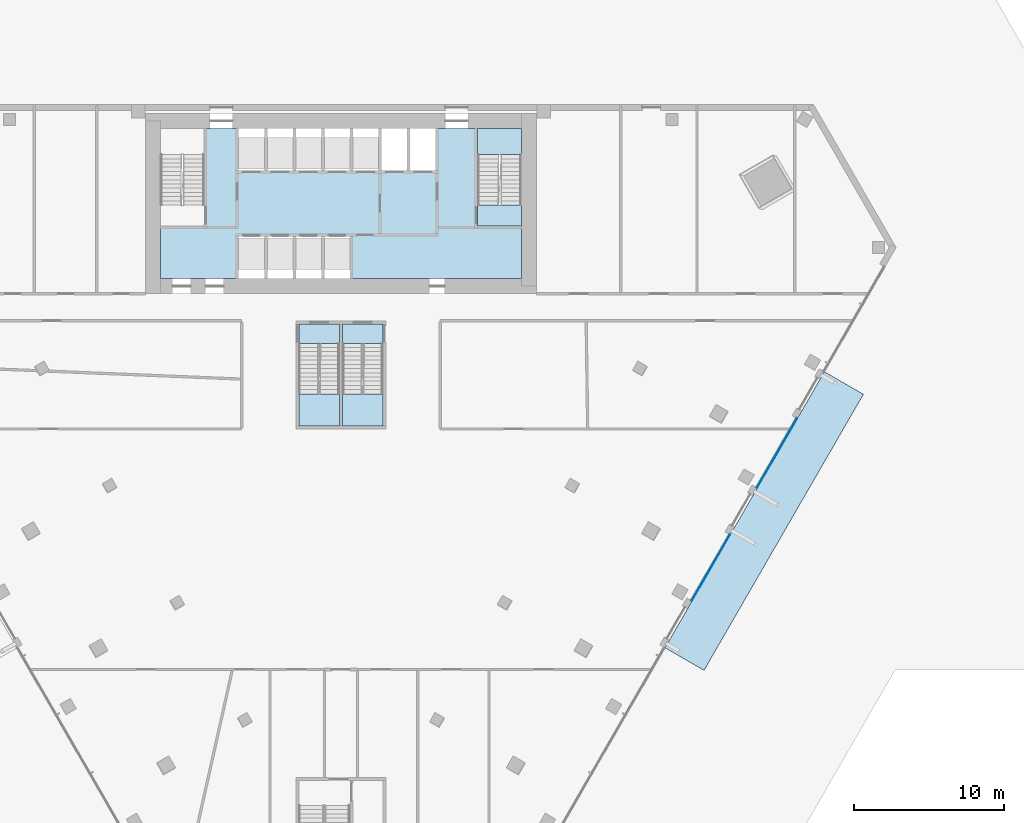
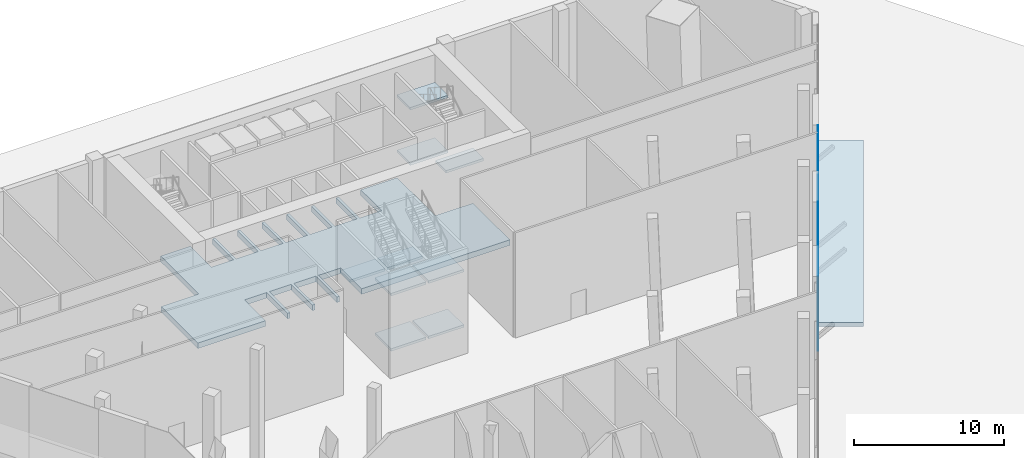
# One storey, part 10 of 21: 11 slabs, 4 plates, 5 elements without a shape of their own.
"""IFC4 building model written with IfcOpenShell, lengths in metres."""

from ifc_helpers import new_model, si_unit, direction, frame, origin, origin_2d, place, context, subcontext, project, spatial, polyline, rectangle, outline, extrude, material, layer, layer_set, type_object, element, aggregate, save


model = new_model("IFC4")

# Units and contexts
model_context = context("Model", 3, precision=1e-05, world=origin(), true_north=direction((0.0, 1.0)))
body_context = subcontext(model_context, "Body", "Model", "MODEL_VIEW")
ifc_project = project(units=[si_unit("LENGTHUNIT", "METRE"), si_unit("AREAUNIT", "SQUARE_METRE"), si_unit("VOLUMEUNIT", "CUBIC_METRE"), si_unit("PLANEANGLEUNIT", "RADIAN"), si_unit("MASSUNIT", "GRAM", prefix="KILO")], contexts=[model_context])

# Site, building, storey
site_placement = place(None, origin())
site = spatial("IfcSite", under=ifc_project, at=site_placement, CompositionType="ELEMENT")
building_placement = place(site_placement, origin())
building = spatial("IfcBuilding", under=site, at=building_placement, Name="Altiplano Prism Tower", CompositionType="ELEMENT")
storey_placement = place(building_placement, origin())
storey = spatial("IfcBuildingStorey", under=building, at=storey_placement, Name="L00", CompositionType="ELEMENT", Elevation=0.0)

# Curtain wall, plates
ifc_material_1 = material(Name="Aluminium and glass", Category="aluminium")
ifc_layer_1 = layer(ifc_material_1, 0.261962890625)
ifc_layer_set_1 = layer_set([ifc_layer_1], Name="Aluminium and glass")
curtain_wall_type = type_object("IfcCurtainWallType", Name="CW4 concourse and street shopfront", PredefinedType="NOTDEFINED", material=ifc_layer_set_1)
curtain_wall_1_placement = place(storey_placement, origin())
curtain_wall_1 = element("IfcCurtainWall", 1, at=curtain_wall_1_placement, inside=storey, type_object=curtain_wall_type, Name="CW4 shopfront south-east face L00", PredefinedType="NOTDEFINED")
ifc_material_2 = material(Name="Clear glass", Category="glass")
ifc_layer_2 = layer(ifc_material_2, 0.031982421875)
ifc_layer_set_2 = layer_set([ifc_layer_2], Name="Clear glass")
plate_type = type_object("IfcPlateType", Name="CW4 laminated glass panel 32", PredefinedType="CURTAIN_PANEL", material=ifc_layer_set_2)
plate_1_placement = place(storey_placement, frame((109.615478515625, 74.1669921875, 0.0), z_axis=(0.0, 0.0, 1.0), x_axis=(0.499999996478, 0.866025405818, 0.0)))
plate_1 = element("IfcPlate", 2, at=plate_1_placement, type_object=plate_type, Name="CW4 panel", PredefinedType="CURTAIN_PANEL", context=body_context, shape_type="SweptSolid", body=[
    extrude(rectangle(XDim=5.069580078125, YDim=0.031982421875, at=origin_2d()), origin(), (0.0, 0.0, 1.0), 4.5),
])
plate_2_placement = place(storey_placement, frame((109.615478515625, 74.1669921875, 4.5), z_axis=(0.0, 0.0, 1.0), x_axis=(0.499999996478, 0.866025405818, 0.0)))
plate_2 = element("IfcPlate", 3, at=plate_2_placement, type_object=plate_type, Name="CW4 panel", PredefinedType="CURTAIN_PANEL", context=body_context, shape_type="SweptSolid", body=[
    extrude(rectangle(XDim=5.069580078125, YDim=0.031982421875, at=origin_2d()), origin(), (0.0, 0.0, 1.0), 4.050048828125),
])
aggregate(curtain_wall_1, [plate_1, plate_2])

curtain_wall_2_placement = place(storey_placement, origin())
curtain_wall_2 = element("IfcCurtainWall", 4, at=curtain_wall_2_placement, inside=storey, type_object=curtain_wall_type, Name="CW4 shopfront south-east face L00", PredefinedType="NOTDEFINED")
plate_3_placement = place(storey_placement, frame((114.017822265625, 81.792236328125, 0.0), z_axis=(0.0, 0.0, 1.0), x_axis=(0.499999996478, 0.866025405818, 0.0)))
plate_3 = element("IfcPlate", 5, at=plate_3_placement, type_object=plate_type, Name="CW4 panel", PredefinedType="CURTAIN_PANEL", context=body_context, shape_type="SweptSolid", body=[
    extrude(rectangle(XDim=5.319580078125, YDim=0.031982421875, at=origin_2d()), origin(), (0.0, 0.0, 1.0), 4.5),
])
plate_4_placement = place(storey_placement, frame((114.017822265625, 81.792236328125, 4.5), z_axis=(0.0, 0.0, 1.0), x_axis=(0.499999996478, 0.866025405818, 0.0)))
plate_4 = element("IfcPlate", 6, at=plate_4_placement, type_object=plate_type, Name="CW4 panel", PredefinedType="CURTAIN_PANEL", context=body_context, shape_type="SweptSolid", body=[
    extrude(rectangle(XDim=5.319580078125, YDim=0.031982421875, at=origin_2d()), origin(), (0.0, 0.0, 1.0), 4.050048828125),
])
aggregate(curtain_wall_2, [plate_3, plate_4])

# Slabs
ifc_material_3 = material(Name="Concrete C40/50", Category="concrete")
ifc_layer_3 = layer(ifc_material_3, 0.449951171875)
ifc_layer_set_3 = layer_set([ifc_layer_3], Name="Concrete C40/50")
slab_type_1 = type_object("IfcSlabType", Name="Core floor slab 450", PredefinedType="FLOOR", material=ifc_layer_set_3)
slab_1_placement = place(storey_placement, frame((0.0, 0.0, -0.449951171875)))
element("IfcSlab", 7, at=slab_1_placement, inside=storey, type_object=slab_type_1, Name="Core floor slab L00", PredefinedType="FLOOR", context=body_context, shape_type="SweptSolid", body=[
    extrude(outline(polyline([(97.0, 98.31005859375), (94.10009765625, 98.31005859375), (94.10009765625, 103.39990234375), (91.300048828125, 103.39990234375), (91.300048828125, 100.60009765625), (89.60009765625, 100.60009765625), (89.60009765625, 103.39990234375), (89.39990234375, 103.39990234375), (89.39990234375, 100.60009765625), (87.699951171875, 100.60009765625), (87.699951171875, 103.39990234375), (87.5, 103.39990234375), (87.5, 100.60009765625), (85.800048828125, 100.60009765625), (85.800048828125, 103.39990234375), (85.60009765625, 103.39990234375), (85.60009765625, 100.60009765625), (83.89990234375, 100.60009765625), (83.89990234375, 103.39990234375), (83.699951171875, 103.39990234375), (83.699951171875, 100.60009765625), (82.0, 100.60009765625), (82.0, 103.39990234375), (81.800048828125, 103.39990234375), (81.800048828125, 100.60009765625), (80.10009765625, 100.60009765625), (80.10009765625, 103.39990234375), (79.89990234375, 103.39990234375), (79.89990234375, 100.60009765625), (78.199951171875, 100.60009765625), (78.199951171875, 103.39990234375), (75.89990234375, 103.39990234375), (75.89990234375, 98.31005859375), (73.0, 98.31005859375), (73.0, 93.39990234375), (78.199951171875, 93.39990234375), (78.199951171875, 96.199951171875), (79.89990234375, 96.199951171875), (79.89990234375, 93.39990234375), (80.10009765625, 93.39990234375), (80.10009765625, 96.199951171875), (81.800048828125, 96.199951171875), (81.800048828125, 93.39990234375), (82.0, 93.39990234375), (82.0, 96.199951171875), (83.699951171875, 96.199951171875), (83.699951171875, 93.39990234375), (83.89990234375, 93.39990234375), (83.89990234375, 96.199951171875), (85.60009765625, 96.199951171875), (85.60009765625, 93.39990234375), (97.0, 93.39990234375), (97.0, 98.31005859375)])), origin(), (0.0, 0.0, 1.0), 0.449951171875),
])
ifc_material_4 = material(Name="Concrete C40", Category="concrete")
ifc_layer_4 = layer(ifc_material_4, 0.300048828125)
ifc_layer_set_4 = layer_set([ifc_layer_4], Name="Concrete C40")
slab_type_2 = type_object("IfcSlabType", Name="Entrance canopy 300", PredefinedType="ROOF", material=ifc_layer_set_4)
slab_2_placement = place(storey_placement, frame((0.0, 0.0, 4.5)))
element("IfcSlab", 8, at=slab_2_placement, inside=storey, type_object=slab_type_2, Name="Entrance canopy 2", PredefinedType="ROOF", context=body_context, shape_type="SweptSolid", body=[
    extrude(outline(polyline([(106.559326171875, 68.841796875), (117.1640625, 87.209716796875), (119.76220703125, 85.709716796875), (109.157470703125, 67.341796875), (106.559326171875, 68.841796875)])), origin(), (0.0, 0.0, 1.0), 0.300048828125),
])

# Stair, slabs
stair_type_1 = type_object("IfcStairType", Name="Exit stair 1400", PredefinedType="HALF_TURN_STAIR", material=ifc_material_3)
stair_1_placement = place(storey_placement, origin())
stair_1 = element("IfcStair", 9, at=stair_1_placement, inside=storey, type_object=stair_type_1, Name="L00 Exit Stair 2", PredefinedType="HALF_TURN_STAIR")
ifc_layer_5 = layer(ifc_material_3, 0.199951171875)
ifc_layer_set_5 = layer_set([ifc_layer_5], Name="Concrete C40/50")
slab_type_3 = type_object("IfcSlabType", Name="Stair landing 200", PredefinedType="LANDING", material=ifc_layer_set_5)
slab_3_placement = place(storey_placement, frame((0.0, 0.0, 2.050048828125)))
slab_3 = element("IfcSlab", 10, at=slab_3_placement, type_object=slab_type_3, Name="ST2 landing 1", PredefinedType="LANDING", context=body_context, shape_type="SweptSolid", body=[
    extrude(outline(polyline([(97.0, 101.656982421875), (97.0, 103.39990234375), (94.10009765625, 103.39990234375), (94.10009765625, 101.656982421875), (97.0, 101.656982421875)])), origin(), (0.0, 0.0, 1.0), 0.199951171875),
])
slab_4_placement = place(storey_placement, frame((0.0, 0.0, 4.300048828125)))
slab_4 = element("IfcSlab", 11, at=slab_4_placement, type_object=slab_type_3, Name="ST2 landing 2", PredefinedType="LANDING", context=body_context, shape_type="SweptSolid", body=[
    extrude(outline(polyline([(97.0, 96.89990234375), (97.0, 98.302978515625), (94.10009765625, 98.302978515625), (94.10009765625, 96.89990234375), (97.0, 96.89990234375)])), origin(), (0.0, 0.0, 1.0), 0.199951171875),
])
slab_5_placement = place(storey_placement, frame((0.0, 0.0, 6.550048828125)))
slab_5 = element("IfcSlab", 12, at=slab_5_placement, type_object=slab_type_3, Name="ST2 landing 3", PredefinedType="LANDING", context=body_context, shape_type="SweptSolid", body=[
    extrude(outline(polyline([(97.0, 101.656982421875), (97.0, 103.39990234375), (94.10009765625, 103.39990234375), (94.10009765625, 101.656982421875), (97.0, 101.656982421875)])), origin(), (0.0, 0.0, 1.0), 0.199951171875),
])
aggregate(stair_1, [slab_3, slab_4, slab_5])

stair_type_2 = type_object("IfcStairType", Name="Exit stair 1300", PredefinedType="HALF_TURN_STAIR", material=ifc_material_3)
stair_2_placement = place(storey_placement, origin())
stair_2 = element("IfcStair", 13, at=stair_2_placement, inside=storey, type_object=stair_type_2, Name="L00 Exit Stair 3A", PredefinedType="HALF_TURN_STAIR")
slab_6_placement = place(storey_placement, frame((0.0, 0.0, 2.050048828125)))
slab_6 = element("IfcSlab", 14, at=slab_6_placement, type_object=slab_type_3, Name="ST3A landing 1", PredefinedType="LANDING", context=body_context, shape_type="SweptSolid", body=[
    extrude(outline(polyline([(82.199951171875, 85.742919921875), (82.199951171875, 83.60009765625), (84.89990234375, 83.60009765625), (84.89990234375, 85.742919921875), (82.199951171875, 85.742919921875)])), origin(), (0.0, 0.0, 1.0), 0.199951171875),
])
slab_7_placement = place(storey_placement, frame((0.0, 0.0, 4.300048828125)))
slab_7 = element("IfcSlab", 15, at=slab_7_placement, type_object=slab_type_3, Name="ST3A landing 2", PredefinedType="LANDING", context=body_context, shape_type="SweptSolid", body=[
    extrude(outline(polyline([(82.199951171875, 90.39990234375), (82.199951171875, 89.096923828125), (84.89990234375, 89.096923828125), (84.89990234375, 90.39990234375), (82.199951171875, 90.39990234375)])), origin(), (0.0, 0.0, 1.0), 0.199951171875),
])
slab_8_placement = place(storey_placement, frame((0.0, 0.0, 6.550048828125)))
slab_8 = element("IfcSlab", 16, at=slab_8_placement, type_object=slab_type_3, Name="ST3A landing 3", PredefinedType="LANDING", context=body_context, shape_type="SweptSolid", body=[
    extrude(outline(polyline([(82.199951171875, 85.742919921875), (82.199951171875, 83.60009765625), (84.89990234375, 83.60009765625), (84.89990234375, 85.742919921875), (82.199951171875, 85.742919921875)])), origin(), (0.0, 0.0, 1.0), 0.199951171875),
])
aggregate(stair_2, [slab_6, slab_7, slab_8])

stair_3_placement = place(storey_placement, origin())
stair_3 = element("IfcStair", 17, at=stair_3_placement, inside=storey, type_object=stair_type_2, Name="L00 Exit Stair 3B", PredefinedType="HALF_TURN_STAIR")
slab_9_placement = place(storey_placement, frame((0.0, 0.0, 2.050048828125)))
slab_9 = element("IfcSlab", 18, at=slab_9_placement, type_object=slab_type_3, Name="ST3B landing 1", PredefinedType="LANDING", context=body_context, shape_type="SweptSolid", body=[
    extrude(outline(polyline([(85.10009765625, 85.742919921875), (85.10009765625, 83.60009765625), (87.800048828125, 83.60009765625), (87.800048828125, 85.742919921875), (85.10009765625, 85.742919921875)])), origin(), (0.0, 0.0, 1.0), 0.199951171875),
])
slab_10_placement = place(storey_placement, frame((0.0, 0.0, 4.300048828125)))
slab_10 = element("IfcSlab", 19, at=slab_10_placement, type_object=slab_type_3, Name="ST3B landing 2", PredefinedType="LANDING", context=body_context, shape_type="SweptSolid", body=[
    extrude(outline(polyline([(85.10009765625, 90.39990234375), (85.10009765625, 89.096923828125), (87.800048828125, 89.096923828125), (87.800048828125, 90.39990234375), (85.10009765625, 90.39990234375)])), origin(), (0.0, 0.0, 1.0), 0.199951171875),
])
slab_11_placement = place(storey_placement, frame((0.0, 0.0, 6.550048828125)))
slab_11 = element("IfcSlab", 20, at=slab_11_placement, type_object=slab_type_3, Name="ST3B landing 3", PredefinedType="LANDING", context=body_context, shape_type="SweptSolid", body=[
    extrude(outline(polyline([(85.10009765625, 85.742919921875), (85.10009765625, 83.60009765625), (87.800048828125, 83.60009765625), (87.800048828125, 85.742919921875), (85.10009765625, 85.742919921875)])), origin(), (0.0, 0.0, 1.0), 0.199951171875),
])
aggregate(stair_3, [slab_9, slab_10, slab_11])

save(model, "model.ifc")
